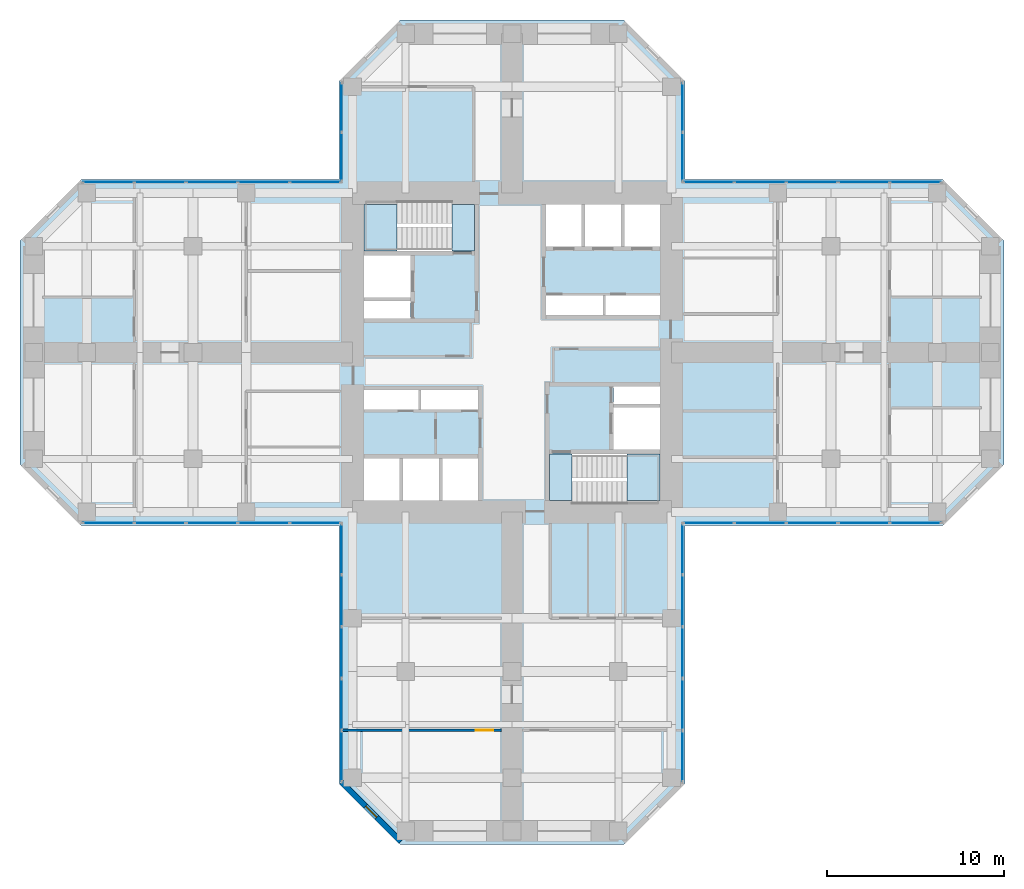
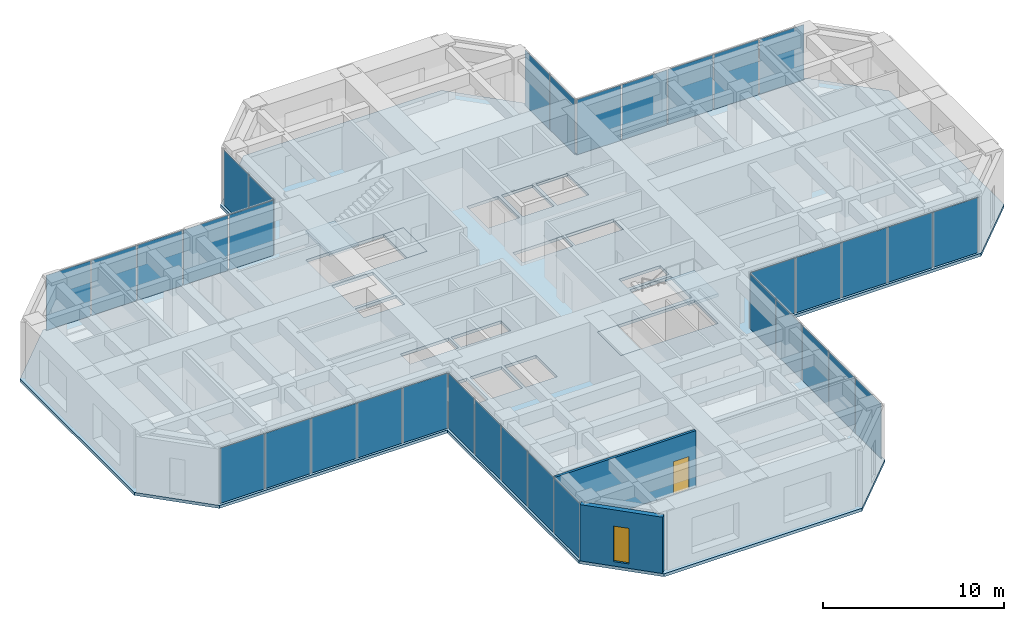
# One storey, part 7 of 13: 34 plates, 5 slabs, 2 walls, 1 door, 1 window, 2 openings, 10 elements without a shape of their own.
"""IFC4 building model written with IfcOpenShell, lengths in metres."""

from ifc_helpers import new_model, si_unit, direction, frame, frame_2d, origin, origin_2d, place, context, subcontext, project, spatial, polyline, rectangle, hollow_rectangle, outline, extrude, material, layer, layer_set, constituent, constituent_set, type_object, element, fill, aggregate, save


model = new_model("IFC4")

# Units and contexts
model_context = context("Model", 3, precision=1e-05, world=origin(), true_north=direction((0.0, 1.0)))
body_context = subcontext(model_context, "Body", "Model", "MODEL_VIEW")
ifc_project = project(units=[si_unit("LENGTHUNIT", "METRE"), si_unit("AREAUNIT", "SQUARE_METRE"), si_unit("VOLUMEUNIT", "CUBIC_METRE"), si_unit("PLANEANGLEUNIT", "RADIAN"), si_unit("MASSUNIT", "GRAM", prefix="KILO")], contexts=[model_context])

# Site, building, storey
site_placement = place(None, origin())
site = spatial("IfcSite", under=ifc_project, at=site_placement, CompositionType="ELEMENT")
building_placement = place(site_placement, origin())
building = spatial("IfcBuilding", under=site, at=building_placement, Name="Torre Cruceta", CompositionType="ELEMENT")
storey_placement = place(building_placement, frame((0.0, 0.0, 128.5)))
storey = spatial("IfcBuildingStorey", under=building, at=storey_placement, Name="L31", CompositionType="ELEMENT", Elevation=128.5)

# Curtain wall, plate
ifc_material_1 = material(Name="Aluminium unitised curtain wall", Category="aluminium")
curtain_wall_type = type_object("IfcCurtainWallType", Name="CURTAIN WALL CW-B OFFICE MID RISE", PredefinedType="USERDEFINED", material=ifc_material_1)
curtain_wall_1_placement = place(storey_placement, origin())
curtain_wall_1 = element("IfcCurtainWall", 1, at=curtain_wall_1_placement, inside=storey, type_object=curtain_wall_type, Name="CW-B L31 E side 00", ObjectType="UNITISED", PredefinedType="USERDEFINED")
ifc_material_2 = material(Name="Laminated insulating glass unit, diagonal frit 50 %", Category="glass")
ifc_material_3 = material(Name="Laminated insulating glass unit, diagonal frit 50 %", Category="glass")
ifc_layer_1 = layer(ifc_material_3, 0.031982421875)
ifc_layer_set_1 = layer_set([ifc_layer_1], Name="Laminated insulating glass unit, diagonal frit 50 %")
plate_type_1 = type_object("IfcPlateType", Name="CW-B OPERABLE VENT PANEL 32", PredefinedType="CURTAIN_PANEL", material=ifc_layer_set_1)
plate_1_placement = place(storey_placement, frame((16.9384765625, -9.6201171875, 0.010009765625), z_axis=(0.0, 0.0, 1.0), x_axis=(1.0, 0.0, 0.0)))
plate_1 = element("IfcPlate", 2, at=plate_1_placement, type_object=plate_type_1, material=ifc_material_2, Name="CW-B vent 3", PredefinedType="CURTAIN_PANEL", context=body_context, shape_type="SweptSolid", body=[
    extrude(rectangle(XDim=2.8623046875, YDim=0.031982421875, at=origin_2d()), origin(), (0.0, 0.0, 1.0), 3.72509765625),
])

curtain_wall_2_placement = place(storey_placement, origin())
curtain_wall_2 = element("IfcCurtainWall", 3, at=curtain_wall_2_placement, inside=storey, type_object=curtain_wall_type, Name="CW-B L31 E side 04", ObjectType="UNITISED", PredefinedType="USERDEFINED")
plate_2_placement = place(storey_placement, frame((16.9384765625, 9.6201171875, 0.010009765625), z_axis=(0.0, 0.0, 1.0), x_axis=(-1.0, 0.0, 0.0)))
plate_2 = element("IfcPlate", 4, at=plate_2_placement, type_object=plate_type_1, material=ifc_material_2, Name="CW-B vent 3", PredefinedType="CURTAIN_PANEL", context=body_context, shape_type="SweptSolid", body=[
    extrude(rectangle(XDim=2.8623046875, YDim=0.031982421875, at=origin_2d()), origin(), (0.0, 0.0, 1.0), 3.72509765625),
])

curtain_wall_3_placement = place(storey_placement, origin())
curtain_wall_3 = element("IfcCurtainWall", 5, at=curtain_wall_3_placement, inside=storey, type_object=curtain_wall_type, Name="CW-B L31 W side 10", ObjectType="UNITISED", PredefinedType="USERDEFINED")
plate_3_placement = place(storey_placement, frame((-16.9384765625, 9.6201171875, 0.010009765625), z_axis=(0.0, 0.0, 1.0), x_axis=(-1.0, 0.0, 0.0)))
plate_3 = element("IfcPlate", 6, at=plate_3_placement, type_object=plate_type_1, material=ifc_material_2, Name="CW-B vent 3", PredefinedType="CURTAIN_PANEL", context=body_context, shape_type="SweptSolid", body=[
    extrude(rectangle(XDim=2.8623046875, YDim=0.031982421875, at=origin_2d()), origin(), (0.0, 0.0, 1.0), 3.72509765625),
])

curtain_wall_4_placement = place(storey_placement, origin())
curtain_wall_4 = element("IfcCurtainWall", 7, at=curtain_wall_4_placement, inside=storey, type_object=curtain_wall_type, Name="CW-B L31 W side 14", ObjectType="UNITISED", PredefinedType="USERDEFINED")
plate_4_placement = place(storey_placement, frame((-16.9384765625, -9.6201171875, 0.010009765625), z_axis=(0.0, 0.0, 1.0), x_axis=(1.0, 0.0, 0.0)))
plate_4 = element("IfcPlate", 8, at=plate_4_placement, type_object=plate_type_1, material=ifc_material_2, Name="CW-B vent 3", PredefinedType="CURTAIN_PANEL", context=body_context, shape_type="SweptSolid", body=[
    extrude(rectangle(XDim=2.8623046875, YDim=0.031982421875, at=origin_2d()), origin(), (0.0, 0.0, 1.0), 3.72509765625),
])

curtain_wall_5_placement = place(storey_placement, origin())
curtain_wall_5 = element("IfcCurtainWall", 9, at=curtain_wall_5_placement, inside=storey, type_object=curtain_wall_type, Name="CW-B L31 S side 15", ObjectType="UNITISED", PredefinedType="USERDEFINED")
plate_5_placement = place(storey_placement, frame((-9.6201171875, -16.9384765625, 0.010009765625), z_axis=(0.0, 0.0, 1.0), x_axis=(0.0, -1.0, 0.0)))
plate_5 = element("IfcPlate", 10, at=plate_5_placement, type_object=plate_type_1, material=ifc_material_2, Name="CW-B vent 3", PredefinedType="CURTAIN_PANEL", context=body_context, shape_type="SweptSolid", body=[
    extrude(rectangle(XDim=2.8623046875, YDim=0.031982421875, at=origin_2d()), origin(), (0.0, 0.0, 1.0), 3.72509765625),
])

curtain_wall_6_placement = place(storey_placement, origin())
curtain_wall_6 = element("IfcCurtainWall", 11, at=curtain_wall_6_placement, inside=storey, type_object=curtain_wall_type, Name="CW-B L31 S side 19", ObjectType="UNITISED", PredefinedType="USERDEFINED")
plate_6_placement = place(storey_placement, frame((9.6201171875, -16.9384765625, 0.010009765625), z_axis=(0.0, 0.0, 1.0), x_axis=(0.0, 1.0, 0.0)))
plate_6 = element("IfcPlate", 12, at=plate_6_placement, type_object=plate_type_1, material=ifc_material_2, Name="CW-B vent 3", PredefinedType="CURTAIN_PANEL", context=body_context, shape_type="SweptSolid", body=[
    extrude(rectangle(XDim=2.8623046875, YDim=0.031982421875, at=origin_2d()), origin(), (0.0, 0.0, 1.0), 3.72509765625),
])

# Plate
ifc_material_4 = material(Name="Laminated insulating glass unit, low-iron clear", Category="glass")
ifc_material_5 = material(Name="Laminated insulating glass unit, diagonal frit 50 %", Category="glass")
ifc_layer_2 = layer(ifc_material_5, 0.031982421875)
ifc_layer_set_2 = layer_set([ifc_layer_2], Name="Laminated insulating glass unit, diagonal frit 50 %")
plate_type_2 = type_object("IfcPlateType", Name="CW-B PANEL 32", PredefinedType="CURTAIN_PANEL", material=ifc_layer_set_2)
plate_7_placement = place(storey_placement, frame((11.099853515625, -9.6201171875, 0.010009765625), z_axis=(0.0, 0.0, 1.0), x_axis=(1.0, 0.0, 0.0)))
plate_7 = element("IfcPlate", 13, at=plate_7_placement, type_object=plate_type_2, material=ifc_material_4, Name="CW-B panel 1", PredefinedType="CURTAIN_PANEL", context=body_context, shape_type="SweptSolid", body=[
    extrude(rectangle(XDim=2.829833984375, YDim=0.031982421875, at=origin_2d()), origin(), (0.0, 0.0, 1.0), 3.72509765625),
])

plate_8_placement = place(storey_placement, frame((14.010986328125, -9.6201171875, 0.010009765625), z_axis=(0.0, 0.0, 1.0), x_axis=(1.0, 0.0, 0.0)))
plate_8 = element("IfcPlate", 14, at=plate_8_placement, type_object=plate_type_2, material=ifc_material_2, Name="CW-B panel 2", PredefinedType="CURTAIN_PANEL", context=body_context, shape_type="SweptSolid", body=[
    extrude(rectangle(XDim=2.8623046875, YDim=0.031982421875, at=origin_2d()), origin(), (0.0, 0.0, 1.0), 3.72509765625),
])

plate_9_placement = place(storey_placement, frame((19.86572265625, -9.6201171875, 0.010009765625), z_axis=(0.0, 0.0, 1.0), x_axis=(1.0, 0.0, 0.0)))
plate_9 = element("IfcPlate", 15, at=plate_9_placement, type_object=plate_type_2, material=ifc_material_2, Name="CW-B panel 4", PredefinedType="CURTAIN_PANEL", context=body_context, shape_type="SweptSolid", body=[
    extrude(rectangle(XDim=2.8623046875, YDim=0.031982421875, at=origin_2d()), origin(), (0.0, 0.0, 1.0), 3.72509765625),
])

plate_10_placement = place(storey_placement, frame((22.77685546875, -9.6201171875, 0.010009765625), z_axis=(0.0, 0.0, 1.0), x_axis=(1.0, 0.0, 0.0)))
plate_10 = element("IfcPlate", 16, at=plate_10_placement, type_object=plate_type_2, material=ifc_material_2, Name="CW-B panel 5", PredefinedType="CURTAIN_PANEL", context=body_context, shape_type="SweptSolid", body=[
    extrude(rectangle(XDim=2.829833984375, YDim=0.031982421875, at=origin_2d()), origin(), (0.0, 0.0, 1.0), 3.72509765625),
])

aggregate(curtain_wall_1, [plate_7, plate_8, plate_1, plate_9, plate_10])

plate_11_placement = place(storey_placement, frame((22.77685546875, 9.6201171875, 0.010009765625), z_axis=(0.0, 0.0, 1.0), x_axis=(-1.0, 0.0, 0.0)))
plate_11 = element("IfcPlate", 17, at=plate_11_placement, type_object=plate_type_2, material=ifc_material_4, Name="CW-B panel 1", PredefinedType="CURTAIN_PANEL", context=body_context, shape_type="SweptSolid", body=[
    extrude(rectangle(XDim=2.829833984375, YDim=0.031982421875, at=origin_2d()), origin(), (0.0, 0.0, 1.0), 3.72509765625),
])

plate_12_placement = place(storey_placement, frame((19.86572265625, 9.6201171875, 0.010009765625), z_axis=(0.0, 0.0, 1.0), x_axis=(-1.0, 0.0, 0.0)))
plate_12 = element("IfcPlate", 18, at=plate_12_placement, type_object=plate_type_2, material=ifc_material_2, Name="CW-B panel 2", PredefinedType="CURTAIN_PANEL", context=body_context, shape_type="SweptSolid", body=[
    extrude(rectangle(XDim=2.8623046875, YDim=0.031982421875, at=origin_2d()), origin(), (0.0, 0.0, 1.0), 3.72509765625),
])

plate_13_placement = place(storey_placement, frame((14.010986328125, 9.6201171875, 0.010009765625), z_axis=(0.0, 0.0, 1.0), x_axis=(-1.0, 0.0, 0.0)))
plate_13 = element("IfcPlate", 19, at=plate_13_placement, type_object=plate_type_2, material=ifc_material_2, Name="CW-B panel 4", PredefinedType="CURTAIN_PANEL", context=body_context, shape_type="SweptSolid", body=[
    extrude(rectangle(XDim=2.8623046875, YDim=0.031982421875, at=origin_2d()), origin(), (0.0, 0.0, 1.0), 3.72509765625),
])

plate_14_placement = place(storey_placement, frame((11.099853515625, 9.6201171875, 0.010009765625), z_axis=(0.0, 0.0, 1.0), x_axis=(-1.0, 0.0, 0.0)))
plate_14 = element("IfcPlate", 20, at=plate_14_placement, type_object=plate_type_2, material=ifc_material_2, Name="CW-B panel 5", PredefinedType="CURTAIN_PANEL", context=body_context, shape_type="SweptSolid", body=[
    extrude(rectangle(XDim=2.829833984375, YDim=0.031982421875, at=origin_2d()), origin(), (0.0, 0.0, 1.0), 3.72509765625),
])

aggregate(curtain_wall_2, [plate_11, plate_12, plate_2, plate_13, plate_14])

# Curtain wall, plates
curtain_wall_7_placement = place(storey_placement, origin())
curtain_wall_7 = element("IfcCurtainWall", 21, at=curtain_wall_7_placement, inside=storey, type_object=curtain_wall_type, Name="CW-B L31 N side 05", ObjectType="UNITISED", PredefinedType="USERDEFINED")
plate_15_placement = place(storey_placement, frame((9.6201171875, 11.04541015625, 0.010009765625), z_axis=(0.0, 0.0, 1.0), x_axis=(0.0, 1.0, 0.0)))
plate_15 = element("IfcPlate", 22, at=plate_15_placement, type_object=plate_type_2, material=ifc_material_4, Name="CW-B panel 1", PredefinedType="CURTAIN_PANEL", context=body_context, shape_type="SweptSolid", body=[
    extrude(rectangle(XDim=2.720947265625, YDim=0.031982421875, at=origin_2d()), origin(), (0.0, 0.0, 1.0), 3.72509765625),
])
plate_16_placement = place(storey_placement, frame((9.6201171875, 13.831298828125, 0.010009765625), z_axis=(0.0, 0.0, 1.0), x_axis=(0.0, 1.0, 0.0)))
plate_16 = element("IfcPlate", 23, at=plate_16_placement, type_object=plate_type_2, material=ifc_material_2, Name="CW-B panel 2", PredefinedType="CURTAIN_PANEL", context=body_context, shape_type="SweptSolid", body=[
    extrude(rectangle(XDim=2.720947265625, YDim=0.031982421875, at=origin_2d()), origin(), (0.0, 0.0, 1.0), 3.72509765625),
])
aggregate(curtain_wall_7, [plate_15, plate_16])

curtain_wall_8_placement = place(storey_placement, origin())
curtain_wall_8 = element("IfcCurtainWall", 24, at=curtain_wall_8_placement, inside=storey, type_object=curtain_wall_type, Name="CW-B L31 N side 09", ObjectType="UNITISED", PredefinedType="USERDEFINED")
plate_17_placement = place(storey_placement, frame((-9.6201171875, 13.831298828125, 0.010009765625), z_axis=(0.0, 0.0, 1.0), x_axis=(0.0, -1.0, 0.0)))
plate_17 = element("IfcPlate", 25, at=plate_17_placement, type_object=plate_type_2, material=ifc_material_4, Name="CW-B panel 1", PredefinedType="CURTAIN_PANEL", context=body_context, shape_type="SweptSolid", body=[
    extrude(rectangle(XDim=2.720947265625, YDim=0.031982421875, at=origin_2d()), origin(), (0.0, 0.0, 1.0), 3.72509765625),
])
plate_18_placement = place(storey_placement, frame((-9.6201171875, 11.04541015625, 0.010009765625), z_axis=(0.0, 0.0, 1.0), x_axis=(0.0, -1.0, 0.0)))
plate_18 = element("IfcPlate", 26, at=plate_18_placement, type_object=plate_type_2, material=ifc_material_2, Name="CW-B panel 2", PredefinedType="CURTAIN_PANEL", context=body_context, shape_type="SweptSolid", body=[
    extrude(rectangle(XDim=2.720947265625, YDim=0.031982421875, at=origin_2d()), origin(), (0.0, 0.0, 1.0), 3.72509765625),
])
aggregate(curtain_wall_8, [plate_17, plate_18])

# Plate
plate_19_placement = place(storey_placement, frame((-11.099853515625, 9.6201171875, 0.010009765625), z_axis=(0.0, 0.0, 1.0), x_axis=(-1.0, 0.0, 0.0)))
plate_19 = element("IfcPlate", 27, at=plate_19_placement, type_object=plate_type_2, material=ifc_material_4, Name="CW-B panel 1", PredefinedType="CURTAIN_PANEL", context=body_context, shape_type="SweptSolid", body=[
    extrude(rectangle(XDim=2.829833984375, YDim=0.031982421875, at=origin_2d()), origin(), (0.0, 0.0, 1.0), 3.72509765625),
])

plate_20_placement = place(storey_placement, frame((-14.010986328125, 9.6201171875, 0.010009765625), z_axis=(0.0, 0.0, 1.0), x_axis=(-1.0, 0.0, 0.0)))
plate_20 = element("IfcPlate", 28, at=plate_20_placement, type_object=plate_type_2, material=ifc_material_2, Name="CW-B panel 2", PredefinedType="CURTAIN_PANEL", context=body_context, shape_type="SweptSolid", body=[
    extrude(rectangle(XDim=2.8623046875, YDim=0.031982421875, at=origin_2d()), origin(), (0.0, 0.0, 1.0), 3.72509765625),
])

plate_21_placement = place(storey_placement, frame((-19.86572265625, 9.6201171875, 0.010009765625), z_axis=(0.0, 0.0, 1.0), x_axis=(-1.0, 0.0, 0.0)))
plate_21 = element("IfcPlate", 29, at=plate_21_placement, type_object=plate_type_2, material=ifc_material_2, Name="CW-B panel 4", PredefinedType="CURTAIN_PANEL", context=body_context, shape_type="SweptSolid", body=[
    extrude(rectangle(XDim=2.8623046875, YDim=0.031982421875, at=origin_2d()), origin(), (0.0, 0.0, 1.0), 3.72509765625),
])

plate_22_placement = place(storey_placement, frame((-22.77685546875, 9.6201171875, 0.010009765625), z_axis=(0.0, 0.0, 1.0), x_axis=(-1.0, 0.0, 0.0)))
plate_22 = element("IfcPlate", 30, at=plate_22_placement, type_object=plate_type_2, material=ifc_material_2, Name="CW-B panel 5", PredefinedType="CURTAIN_PANEL", context=body_context, shape_type="SweptSolid", body=[
    extrude(rectangle(XDim=2.829833984375, YDim=0.031982421875, at=origin_2d()), origin(), (0.0, 0.0, 1.0), 3.72509765625),
])

aggregate(curtain_wall_3, [plate_19, plate_20, plate_3, plate_21, plate_22])

plate_23_placement = place(storey_placement, frame((-22.77685546875, -9.6201171875, 0.010009765625), z_axis=(0.0, 0.0, 1.0), x_axis=(1.0, 0.0, 0.0)))
plate_23 = element("IfcPlate", 31, at=plate_23_placement, type_object=plate_type_2, material=ifc_material_4, Name="CW-B panel 1", PredefinedType="CURTAIN_PANEL", context=body_context, shape_type="SweptSolid", body=[
    extrude(rectangle(XDim=2.829833984375, YDim=0.031982421875, at=origin_2d()), origin(), (0.0, 0.0, 1.0), 3.72509765625),
])

plate_24_placement = place(storey_placement, frame((-19.86572265625, -9.6201171875, 0.010009765625), z_axis=(0.0, 0.0, 1.0), x_axis=(1.0, 0.0, 0.0)))
plate_24 = element("IfcPlate", 32, at=plate_24_placement, type_object=plate_type_2, material=ifc_material_2, Name="CW-B panel 2", PredefinedType="CURTAIN_PANEL", context=body_context, shape_type="SweptSolid", body=[
    extrude(rectangle(XDim=2.8623046875, YDim=0.031982421875, at=origin_2d()), origin(), (0.0, 0.0, 1.0), 3.72509765625),
])

plate_25_placement = place(storey_placement, frame((-14.010986328125, -9.6201171875, 0.010009765625), z_axis=(0.0, 0.0, 1.0), x_axis=(1.0, 0.0, 0.0)))
plate_25 = element("IfcPlate", 33, at=plate_25_placement, type_object=plate_type_2, material=ifc_material_2, Name="CW-B panel 4", PredefinedType="CURTAIN_PANEL", context=body_context, shape_type="SweptSolid", body=[
    extrude(rectangle(XDim=2.8623046875, YDim=0.031982421875, at=origin_2d()), origin(), (0.0, 0.0, 1.0), 3.72509765625),
])

plate_26_placement = place(storey_placement, frame((-11.099853515625, -9.6201171875, 0.010009765625), z_axis=(0.0, 0.0, 1.0), x_axis=(1.0, 0.0, 0.0)))
plate_26 = element("IfcPlate", 34, at=plate_26_placement, type_object=plate_type_2, material=ifc_material_2, Name="CW-B panel 5", PredefinedType="CURTAIN_PANEL", context=body_context, shape_type="SweptSolid", body=[
    extrude(rectangle(XDim=2.829833984375, YDim=0.031982421875, at=origin_2d()), origin(), (0.0, 0.0, 1.0), 3.72509765625),
])

aggregate(curtain_wall_4, [plate_23, plate_24, plate_4, plate_25, plate_26])

plate_27_placement = place(storey_placement, frame((-9.6201171875, -11.099853515625, 0.010009765625), z_axis=(0.0, 0.0, 1.0), x_axis=(0.0, -1.0, 0.0)))
plate_27 = element("IfcPlate", 35, at=plate_27_placement, type_object=plate_type_2, material=ifc_material_4, Name="CW-B panel 1", PredefinedType="CURTAIN_PANEL", context=body_context, shape_type="SweptSolid", body=[
    extrude(rectangle(XDim=2.829833984375, YDim=0.031982421875, at=origin_2d()), origin(), (0.0, 0.0, 1.0), 3.72509765625),
])

plate_28_placement = place(storey_placement, frame((-9.6201171875, -14.010986328125, 0.010009765625), z_axis=(0.0, 0.0, 1.0), x_axis=(0.0, -1.0, 0.0)))
plate_28 = element("IfcPlate", 36, at=plate_28_placement, type_object=plate_type_2, material=ifc_material_2, Name="CW-B panel 2", PredefinedType="CURTAIN_PANEL", context=body_context, shape_type="SweptSolid", body=[
    extrude(rectangle(XDim=2.8623046875, YDim=0.031982421875, at=origin_2d()), origin(), (0.0, 0.0, 1.0), 3.72509765625),
])

plate_29_placement = place(storey_placement, frame((-9.6201171875, -19.86572265625, 0.010009765625), z_axis=(0.0, 0.0, 1.0), x_axis=(0.0, -1.0, 0.0)))
plate_29 = element("IfcPlate", 37, at=plate_29_placement, type_object=plate_type_2, material=ifc_material_2, Name="CW-B panel 4", PredefinedType="CURTAIN_PANEL", context=body_context, shape_type="SweptSolid", body=[
    extrude(rectangle(XDim=2.8623046875, YDim=0.031982421875, at=origin_2d()), origin(), (0.0, 0.0, 1.0), 3.72509765625),
])

plate_30_placement = place(storey_placement, frame((-9.6201171875, -22.77685546875, 0.010009765625), z_axis=(0.0, 0.0, 1.0), x_axis=(0.0, -1.0, 0.0)))
plate_30 = element("IfcPlate", 38, at=plate_30_placement, type_object=plate_type_2, material=ifc_material_2, Name="CW-B panel 5", PredefinedType="CURTAIN_PANEL", context=body_context, shape_type="SweptSolid", body=[
    extrude(rectangle(XDim=2.829833984375, YDim=0.031982421875, at=origin_2d()), origin(), (0.0, 0.0, 1.0), 3.72509765625),
])

aggregate(curtain_wall_5, [plate_27, plate_28, plate_5, plate_29, plate_30])

plate_31_placement = place(storey_placement, frame((9.6201171875, -22.77685546875, 0.010009765625), z_axis=(0.0, 0.0, 1.0), x_axis=(0.0, 1.0, 0.0)))
plate_31 = element("IfcPlate", 39, at=plate_31_placement, type_object=plate_type_2, material=ifc_material_4, Name="CW-B panel 1", PredefinedType="CURTAIN_PANEL", context=body_context, shape_type="SweptSolid", body=[
    extrude(rectangle(XDim=2.829833984375, YDim=0.031982421875, at=origin_2d()), origin(), (0.0, 0.0, 1.0), 3.72509765625),
])

plate_32_placement = place(storey_placement, frame((9.6201171875, -19.86572265625, 0.010009765625), z_axis=(0.0, 0.0, 1.0), x_axis=(0.0, 1.0, 0.0)))
plate_32 = element("IfcPlate", 40, at=plate_32_placement, type_object=plate_type_2, material=ifc_material_2, Name="CW-B panel 2", PredefinedType="CURTAIN_PANEL", context=body_context, shape_type="SweptSolid", body=[
    extrude(rectangle(XDim=2.8623046875, YDim=0.031982421875, at=origin_2d()), origin(), (0.0, 0.0, 1.0), 3.72509765625),
])

plate_33_placement = place(storey_placement, frame((9.6201171875, -14.010986328125, 0.010009765625), z_axis=(0.0, 0.0, 1.0), x_axis=(0.0, 1.0, 0.0)))
plate_33 = element("IfcPlate", 41, at=plate_33_placement, type_object=plate_type_2, material=ifc_material_2, Name="CW-B panel 4", PredefinedType="CURTAIN_PANEL", context=body_context, shape_type="SweptSolid", body=[
    extrude(rectangle(XDim=2.8623046875, YDim=0.031982421875, at=origin_2d()), origin(), (0.0, 0.0, 1.0), 3.72509765625),
])

plate_34_placement = place(storey_placement, frame((9.6201171875, -11.099853515625, 0.010009765625), z_axis=(0.0, 0.0, 1.0), x_axis=(0.0, 1.0, 0.0)))
plate_34 = element("IfcPlate", 42, at=plate_34_placement, type_object=plate_type_2, material=ifc_material_2, Name="CW-B panel 5", PredefinedType="CURTAIN_PANEL", context=body_context, shape_type="SweptSolid", body=[
    extrude(rectangle(XDim=2.829833984375, YDim=0.031982421875, at=origin_2d()), origin(), (0.0, 0.0, 1.0), 3.72509765625),
])

aggregate(curtain_wall_6, [plate_31, plate_32, plate_6, plate_33, plate_34])

# Slab
ifc_material_6 = material(Name="Concrete G35 (fck 35 MPa)", Category="concrete")
ifc_layer_3 = layer(ifc_material_6, 0.199951171875)
ifc_layer_set_3 = layer_set([ifc_layer_3], Name="Concrete G35 (fck 35 MPa)")
slab_type_1 = type_object("IfcSlabType", Name="FLOOR SLAB 200", PredefinedType="FLOOR", material=ifc_layer_set_3)
slab_1_placement = place(storey_placement, frame((0.0, 0.0, -0.199951171875)))
element("IfcSlab", 43, at=slab_1_placement, inside=storey, type_object=slab_type_1, Name="Floor Slab L31", PredefinedType="FLOOR", context=body_context, shape_type="SweptSolid", body=[
    extrude(outline(polyline([(9.77001953125, -9.77001953125), (9.77001953125, -24.31884765625), (6.31884765625, -27.77001953125), (-6.31884765625, -27.77001953125), (-9.77001953125, -24.31884765625), (-9.77001953125, -9.77001953125), (-24.31884765625, -9.77001953125), (-27.77001953125, -6.31884765625), (-27.77001953125, 6.31884765625), (-24.31884765625, 9.77001953125), (-9.77001953125, 9.77001953125), (-9.77001953125, 15.31884765625), (-6.31884765625, 18.77001953125), (6.31884765625, 18.77001953125), (9.77001953125, 15.31884765625), (9.77001953125, 9.77001953125), (24.31884765625, 9.77001953125), (27.77001953125, 6.31884765625), (27.77001953125, -6.31884765625), (24.31884765625, -9.77001953125), (9.77001953125, -9.77001953125)]), holes=[polyline([(1.925048828125, 5.97509765625), (3.933349609375, 5.97509765625), (3.933349609375, 8.35009765625), (1.925048828125, 8.35009765625), (1.925048828125, 5.97509765625)]), polyline([(4.13330078125, 5.97509765625), (6.1416015625, 5.97509765625), (6.1416015625, 8.35009765625), (4.13330078125, 8.35009765625), (4.13330078125, 5.97509765625)]), polyline([(6.341552734375, 5.97509765625), (8.35009765625, 5.97509765625), (8.35009765625, 8.35009765625), (6.341552734375, 8.35009765625), (6.341552734375, 5.97509765625)]), polyline([(1.925048828125, 2.125), (5.125, 2.125), (5.125, 3.22509765625), (1.925048828125, 3.22509765625), (1.925048828125, 2.125)]), polyline([(5.27490234375, 2.125), (8.35009765625, 2.125), (8.35009765625, 3.22509765625), (5.27490234375, 3.22509765625), (5.27490234375, 2.125)]), polyline([(-8.35009765625, 3.10009765625), (-5.72509765625, 3.10009765625), (-5.72509765625, 5.47509765625), (-8.35009765625, 5.47509765625), (-8.35009765625, 3.10009765625)]), polyline([(-8.35009765625, 1.925048828125), (-5.72509765625, 1.925048828125), (-5.72509765625, 2.89990234375), (-8.35009765625, 2.89990234375), (-8.35009765625, 1.925048828125)]), polyline([(-3.933349609375, -8.35009765625), (-1.925048828125, -8.35009765625), (-1.925048828125, -5.97509765625), (-3.933349609375, -5.97509765625), (-3.933349609375, -8.35009765625)]), polyline([(-6.1416015625, -8.35009765625), (-4.13330078125, -8.35009765625), (-4.13330078125, -5.97509765625), (-6.1416015625, -5.97509765625), (-6.1416015625, -8.35009765625)]), polyline([(-8.35009765625, -8.35009765625), (-6.341552734375, -8.35009765625), (-6.341552734375, -5.97509765625), (-8.35009765625, -5.97509765625), (-8.35009765625, -8.35009765625)]), polyline([(-5.125, -3.22509765625), (-1.925048828125, -3.22509765625), (-1.925048828125, -2.125), (-5.125, -2.125), (-5.125, -3.22509765625)]), polyline([(-8.35009765625, -3.22509765625), (-5.27490234375, -3.22509765625), (-5.27490234375, -2.125), (-8.35009765625, -2.125), (-8.35009765625, -3.22509765625)]), polyline([(5.72509765625, -5.47509765625), (8.35009765625, -5.47509765625), (8.35009765625, -3.10009765625), (5.72509765625, -3.10009765625), (5.72509765625, -5.47509765625)]), polyline([(5.72509765625, -2.89990234375), (8.35009765625, -2.89990234375), (8.35009765625, -1.925048828125), (5.72509765625, -1.925048828125), (5.72509765625, -2.89990234375)]), polyline([(-8.35009765625, 5.72509765625), (-8.35009765625, 8.35009765625), (-3.39990234375, 8.35009765625), (-2.125, 8.35009765625), (-2.125, 5.72509765625), (-3.39990234375, 5.72509765625), (-8.35009765625, 5.72509765625)]), polyline([(2.125, -5.72509765625), (3.39990234375, -5.72509765625), (8.35009765625, -5.72509765625), (8.35009765625, -8.35009765625), (3.39990234375, -8.35009765625), (2.125, -8.35009765625), (2.125, -5.72509765625)])]), origin(), (0.0, 0.0, 1.0), 0.199951171875),
])

# Stair, slab
ifc_material_7 = material(Name="Concrete G30 (fck 30 MPa)", Category="concrete")
stair_type = type_object("IfcStairType", Name="STAIR HALF-TURN 1300", PredefinedType="HALF_TURN_STAIR", material=ifc_material_7)
stair_1_placement = place(storey_placement, origin())
stair_1 = element("IfcStair", 44, at=stair_1_placement, inside=storey, type_object=stair_type, Name="Stair ST1 L31", PredefinedType="HALF_TURN_STAIR")
ifc_material_8 = material(Name="Concrete G30 (fck 30 MPa)", Category="concrete")
ifc_layer_4 = layer(ifc_material_8, 0.199951171875)
ifc_layer_set_4 = layer_set([ifc_layer_4], Name="Concrete G30 (fck 30 MPa)")
slab_type_2 = type_object("IfcSlabType", Name="STAIR LANDING 200", PredefinedType="LANDING", material=ifc_layer_set_4)
slab_2_placement = place(storey_placement, frame((0.0, 0.0, 1.800048828125)))
slab_2 = element("IfcSlab", 45, at=slab_2_placement, type_object=slab_type_2, Name="ST1 landing 1", PredefinedType="LANDING", context=body_context, shape_type="SweptSolid", body=[
    extrude(outline(polyline([(-8.35009765625, 5.72509765625), (-6.47998046875, 5.72509765625), (-6.47998046875, 8.35009765625), (-8.35009765625, 8.35009765625), (-8.35009765625, 5.72509765625)])), origin(), (0.0, 0.0, 1.0), 0.199951171875),
])
aggregate(stair_1, [slab_2])

stair_2_placement = place(storey_placement, origin())
stair_2 = element("IfcStair", 46, at=stair_2_placement, inside=storey, type_object=stair_type, Name="Stair ST2 L31", PredefinedType="HALF_TURN_STAIR")
slab_3_placement = place(storey_placement, frame((0.0, 0.0, 1.800048828125)))
slab_3 = element("IfcSlab", 47, at=slab_3_placement, type_object=slab_type_2, Name="ST2 landing 1", PredefinedType="LANDING", context=body_context, shape_type="SweptSolid", body=[
    extrude(outline(polyline([(6.47998046875, -8.35009765625), (8.35009765625, -8.35009765625), (8.35009765625, -5.72509765625), (6.47998046875, -5.72509765625), (6.47998046875, -8.35009765625)])), origin(), (0.0, 0.0, 1.0), 0.199951171875),
])
aggregate(stair_2, [slab_3])

# Slabs
slab_4_placement = place(storey_placement, frame((0.0, 0.0, -0.199951171875)))
element("IfcSlab", 48, at=slab_4_placement, inside=storey, type_object=slab_type_2, Name="Stair ST1 floor landing L31", PredefinedType="LANDING", context=body_context, shape_type="SweptSolid", body=[
    extrude(outline(polyline([(-2.125, 8.35009765625), (-2.125, 5.72509765625), (-3.39990234375, 5.72509765625), (-3.39990234375, 8.35009765625), (-2.125, 8.35009765625)])), origin(), (0.0, 0.0, 1.0), 0.199951171875),
])
slab_5_placement = place(storey_placement, frame((0.0, 0.0, -0.199951171875)))
element("IfcSlab", 49, at=slab_5_placement, inside=storey, type_object=slab_type_2, Name="Stair ST2 floor landing L31", PredefinedType="LANDING", context=body_context, shape_type="SweptSolid", body=[
    extrude(outline(polyline([(2.125, -8.35009765625), (2.125, -5.72509765625), (3.39990234375, -5.72509765625), (3.39990234375, -8.35009765625), (2.125, -8.35009765625)])), origin(), (0.0, 0.0, 1.0), 0.199951171875),
])

# Wall, opening, window
ifc_material_9 = material(Name="Concrete G30 (fck 30 MPa)", Category="concrete")
ifc_layer_5 = layer(ifc_material_9, 0.300048828125)
ifc_layer_set_5 = layer_set([ifc_layer_5], Name="Concrete G30 (fck 30 MPa)")
wall_type_1 = type_object("IfcWallType", Name="EXPOSED CONCRETE FACADE WALL 300", PredefinedType="SOLIDWALL", material=ifc_layer_set_5)
wall_1_placement = place(storey_placement, frame((-9.6201171875, -24.2568359375, 0.0), z_axis=(0.0, 0.0, 1.0), x_axis=(0.707106781187, -0.707106781187, 0.0)))
wall_1 = element("IfcWall", 50, at=wall_1_placement, inside=storey, type_object=wall_type_1, Name="EW1 facade wall L31 S chamfer 16", PredefinedType="SOLIDWALL", context=body_context, shape_type="SweptSolid", body=[
    extrude(rectangle(XDim=4.72802734375, YDim=0.300048828125, at=frame_2d((2.364013671875, 0.0))), origin(), (0.0, 0.0, 1.0), 3.800048828125),
])
opening_1_placement = place(wall_1_placement, frame((1.9140625, 0.0, 0.300048828125)))
opening_1 = element("IfcOpeningElement", 51, at=opening_1_placement, cuts=wall_1, Name="Opening WN5", PredefinedType="OPENING", context=body_context, shape_type="SweptSolid", body=[
    extrude(rectangle(XDim=0.89990234375, YDim=2.39990234375, at=frame_2d((0.449951171875, 1.199951171875))), frame((0.0, 0.159912109375, 0.0), z_axis=(0.0, -1.0, 0.0), x_axis=(1.0, 0.0, 0.0)), (0.0, 0.0, 1.0), 0.320068359375),
])
ifc_material_10 = material(Name="Aluminium window frame", Category="aluminium")
ifc_constituent_1 = constituent(ifc_material_10, Name="Frame")
ifc_material_11 = material(Name="Laminated insulating glass unit, low-iron clear", Category="glass")
ifc_constituent_2 = constituent(ifc_material_11, Name="Glazing")
ifc_constituent_set_1 = constituent_set(constituents=[ifc_constituent_1, ifc_constituent_2], Name="Aluminium window")
window_type = type_object("IfcWindowType", Name="CHAMFER SLOT WINDOW 900X2400", PartitioningType="SINGLE_PANEL", PredefinedType="WINDOW", material=ifc_constituent_set_1)
window_placement = place(opening_1_placement, origin())
window = element("IfcWindow", 52, at=window_placement, inside=storey, type_object=window_type, Name="WN5 L31 S 1", OverallHeight=2.39990234375, OverallWidth=0.89990234375, PartitioningType="SINGLE_PANEL", PredefinedType="WINDOW", context=body_context, shape_type="SweptSolid", body=[
    extrude(hollow_rectangle(XDim=0.89990234375, YDim=2.39990234375, WallThickness=0.06005859375, at=frame_2d((0.449951171875, 1.199951171875))), frame((0.0, 0.030029296875, 0.0), z_axis=(0.0, -1.0, 0.0), x_axis=(1.0, 0.0, 0.0)), (0.0, 0.0, 1.0), 0.06005859375),
    extrude(rectangle(XDim=0.77880859375, YDim=2.27880859375, at=frame_2d((0.449951171875, 1.199951171875))), frame((0.0, 0.030029296875, 0.0), z_axis=(0.0, -1.0, 0.0), x_axis=(1.0, 0.0, 0.0)), (0.0, 0.0, 1.0), 0.06005859375),
])
fill(opening_1, window)

# Wall, opening, door
ifc_material_12 = material(Name="Plasterboard on steel studs", Category="steel")
ifc_layer_6 = layer(ifc_material_12, 0.14990234375)
ifc_layer_set_6 = layer_set([ifc_layer_6], Name="Plasterboard on steel studs")
wall_type_2 = type_object("IfcWallType", Name="PARTITION 150", PredefinedType="PARTITIONING", material=ifc_layer_set_6)
wall_2_placement = place(storey_placement, frame((-9.580078125, -21.320068359375, 0.0), z_axis=(0.0, 0.0, 1.0), x_axis=(1.0, 0.0, 0.0)))
wall_2 = element("IfcWall", 53, at=wall_2_placement, inside=storey, type_object=wall_type_2, Name="PT1 L31-S-TWR", PredefinedType="PARTITIONING", context=body_context, shape_type="SweptSolid", body=[
    extrude(rectangle(XDim=8.97998046875, YDim=0.14990234375, at=frame_2d((4.489990234375, 0.0))), origin(), (0.0, 0.0, 1.0), 3.800048828125),
])
opening_2_placement = place(wall_2_placement, frame((7.530029296875, 0.0, 0.0)))
opening_2 = element("IfcOpeningElement", 54, at=opening_2_placement, cuts=wall_2, Name="Opening D14", PredefinedType="OPENING", context=body_context, shape_type="SweptSolid", body=[
    extrude(rectangle(XDim=1.0, YDim=2.199951171875, at=frame_2d((0.5, 1.10009765625))), frame((0.0, 0.0849609375, 0.0), z_axis=(0.0, -1.0, 0.0), x_axis=(1.0, 0.0, 0.0)), (0.0, 0.0, 1.0), 0.169921875),
])
ifc_material_13 = material(Name="Steel DX51D", Category="steel")
ifc_constituent_3 = constituent(ifc_material_13, Name="Leaf and frame")
ifc_material_14 = material(Name="Polyester powder coating", Category="paint")
ifc_constituent_4 = constituent(ifc_material_14, Name="Finish")
ifc_material_15 = material(Name="Fire-resisting glass", Category="glass")
ifc_constituent_5 = constituent(ifc_material_15, Name="Vision panel")
ifc_constituent_set_2 = constituent_set(constituents=[ifc_constituent_3, ifc_constituent_4, ifc_constituent_5], Name="Steel fire door with vision panel")
door_type = type_object("IfcDoorType", Name="FIRE DOOR VISION PANEL 1000X2200", OperationType="SINGLE_SWING_RIGHT", PredefinedType="DOOR", material=ifc_constituent_set_2)
door_placement = place(opening_2_placement, frame((1.0, 0.0, 0.0), z_axis=(0.0, 0.0, 1.0), x_axis=(-1.0, 0.0, 0.0)))
door = element("IfcDoor", 55, at=door_placement, inside=storey, type_object=door_type, Name="D14 L31-S-TWR-D1", OperationType="SINGLE_SWING_LEFT", OverallHeight=2.199951171875, OverallWidth=1.0, PredefinedType="DOOR", context=body_context, shape_type="SweptSolid", body=[
    extrude(rectangle(XDim=1.0, YDim=2.199951171875, at=frame_2d((0.5, 1.10009765625))), frame((0.0, 0.025146484375, 0.0), z_axis=(0.0, -1.0, 0.0), x_axis=(1.0, 0.0, 0.0)), (0.0, 0.0, 1.0), 0.050048828125),
])
fill(opening_2, door)

save(model, "model.ifc")
